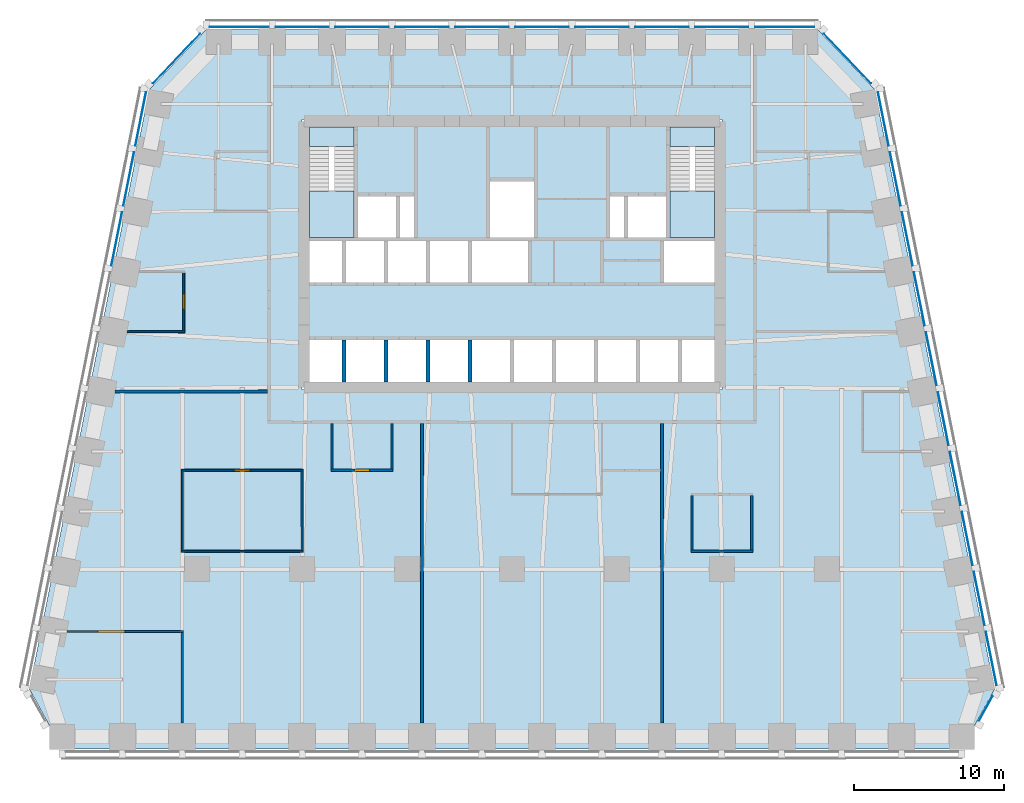
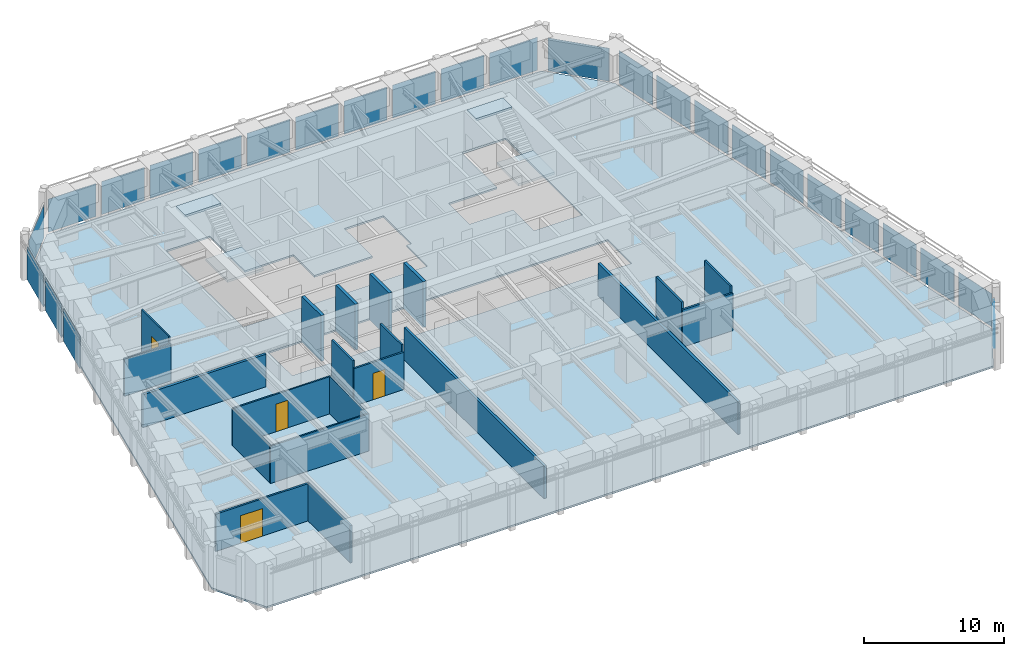
# One storey, part 5 of 10: 26 plates, 21 walls, 5 slabs, 4 doors, 4 openings, 8 elements without a shape of their own.
"""IFC4 building model written with IfcOpenShell, lengths in metres."""

from ifc_helpers import new_model, si_unit, direction, frame, frame_2d, origin, origin_2d, place, context, subcontext, project, spatial, polyline, rectangle, outline, extrude, material, layer, layer_set, type_object, element, fill, aggregate, save


model = new_model("IFC4")

# Units and contexts
model_context = context("Model", 3, precision=1e-05, world=origin(), true_north=direction((0.0, 1.0)))
body_context = subcontext(model_context, "Body", "Model", "MODEL_VIEW")
ifc_project = project(units=[si_unit("LENGTHUNIT", "METRE"), si_unit("AREAUNIT", "SQUARE_METRE"), si_unit("VOLUMEUNIT", "CUBIC_METRE"), si_unit("PLANEANGLEUNIT", "RADIAN"), si_unit("MASSUNIT", "GRAM", prefix="KILO")], contexts=[model_context])

# Site, building, storey
site_placement = place(None, origin())
site = spatial("IfcSite", under=ifc_project, at=site_placement, CompositionType="ELEMENT")
building_placement = place(site_placement, origin())
building = spatial("IfcBuilding", under=site, at=building_placement, Name="Isbrekke Arena Tower", CompositionType="ELEMENT")
storey_placement = place(building_placement, frame((0.0, 0.0, 151.0)))
storey = spatial("IfcBuildingStorey", under=building, at=storey_placement, Name="L34", CompositionType="ELEMENT", Elevation=151.0)

# Curtain wall, plate
ifc_material_1 = material(Name="Glazed aluminium curtain wall", Category="aluminium")
curtain_wall_type = type_object("IfcCurtainWallType", Name="CWM TOWER CURTAIN WALL MID ZONE", PredefinedType="USERDEFINED", material=ifc_material_1)
curtain_wall_1_placement = place(storey_placement, origin())
curtain_wall_1 = element("IfcCurtainWall", 1, at=curtain_wall_1_placement, inside=storey, type_object=curtain_wall_type, Name="CWM curtain wall L34-SE", ObjectType="TOWER CURTAIN WALL MID ZONE", PredefinedType="USERDEFINED")
ifc_material_2 = material(Name="Triple-glazed clear glass unit", Category="glass")
ifc_layer_1 = layer(ifc_material_2, 0.031982421875)
ifc_layer_set_1 = layer_set([ifc_layer_1], Name="CWM-P VISION PANEL")
plate_type = type_object("IfcPlateType", Name="CWM-P VISION PANEL", PredefinedType="CURTAIN_PANEL", material=ifc_layer_set_1)
plate_1_placement = place(storey_placement, frame((31.604248046875, -15.29052734375, 0.02001953125), z_axis=(0.0, 0.0, 1.0), x_axis=(0.481918749773, 0.876215908676, 0.0)))
plate_1 = element("IfcPlate", 2, at=plate_1_placement, type_object=plate_type, Name="CWM-P panel 1", PredefinedType="CURTAIN_PANEL", context=body_context, shape_type="SweptSolid", body=[
    extrude(rectangle(XDim=1.876220703125, YDim=0.031982421875, at=origin_2d()), origin(), (0.0, 0.0, 1.0), 2.8798828125),
])
aggregate(curtain_wall_1, [plate_1])

# Curtain wall, plates
curtain_wall_2_placement = place(storey_placement, origin())
curtain_wall_2 = element("IfcCurtainWall", 3, at=curtain_wall_2_placement, inside=storey, type_object=curtain_wall_type, Name="CWM curtain wall L34-E", ObjectType="TOWER CURTAIN WALL MID ZONE", PredefinedType="USERDEFINED")
plate_2_placement = place(storey_placement, frame((31.9716796875, -11.965576171875, 0.02001953125), z_axis=(0.0, 0.0, 1.0), x_axis=(-0.196116135138, 0.980580675691, 0.0)))
plate_2 = element("IfcPlate", 4, at=plate_2_placement, type_object=plate_type, Name="CWM-P panel 1", PredefinedType="CURTAIN_PANEL", context=body_context, shape_type="SweptSolid", body=[
    extrude(rectangle(XDim=3.629150390625, YDim=0.031982421875, at=origin_2d()), origin(), (0.0, 0.0, 1.0), 2.8798828125),
])
plate_3_placement = place(storey_placement, frame((31.171630859375, -7.965576171875, 0.02001953125), z_axis=(0.0, 0.0, 1.0), x_axis=(-0.196116135138, 0.980580675691, 0.0)))
plate_3 = element("IfcPlate", 5, at=plate_3_placement, type_object=plate_type, Name="CWM-P panel 2", PredefinedType="CURTAIN_PANEL", context=body_context, shape_type="SweptSolid", body=[
    extrude(rectangle(XDim=3.629150390625, YDim=0.031982421875, at=origin_2d()), origin(), (0.0, 0.0, 1.0), 2.8798828125),
])
plate_4_placement = place(storey_placement, frame((30.37158203125, -3.965576171875, 0.02001953125), z_axis=(0.0, 0.0, 1.0), x_axis=(-0.196116135138, 0.980580675691, 0.0)))
plate_4 = element("IfcPlate", 6, at=plate_4_placement, type_object=plate_type, Name="CWM-P panel 3", PredefinedType="CURTAIN_PANEL", context=body_context, shape_type="SweptSolid", body=[
    extrude(rectangle(XDim=3.629150390625, YDim=0.031982421875, at=origin_2d()), origin(), (0.0, 0.0, 1.0), 2.8798828125),
])
plate_5_placement = place(storey_placement, frame((29.571533203125, 0.034423828125, 0.02001953125), z_axis=(0.0, 0.0, 1.0), x_axis=(-0.196116135138, 0.980580675691, 0.0)))
plate_5 = element("IfcPlate", 7, at=plate_5_placement, type_object=plate_type, Name="CWM-P panel 4", PredefinedType="CURTAIN_PANEL", context=body_context, shape_type="SweptSolid", body=[
    extrude(rectangle(XDim=3.629150390625, YDim=0.031982421875, at=origin_2d()), origin(), (0.0, 0.0, 1.0), 2.8798828125),
])
plate_6_placement = place(storey_placement, frame((28.771484375, 4.034423828125, 0.02001953125), z_axis=(0.0, 0.0, 1.0), x_axis=(-0.196116135138, 0.980580675691, 0.0)))
plate_6 = element("IfcPlate", 8, at=plate_6_placement, type_object=plate_type, Name="CWM-P panel 5", PredefinedType="CURTAIN_PANEL", context=body_context, shape_type="SweptSolid", body=[
    extrude(rectangle(XDim=3.629150390625, YDim=0.031982421875, at=origin_2d()), origin(), (0.0, 0.0, 1.0), 2.8798828125),
])
plate_7_placement = place(storey_placement, frame((27.9716796875, 8.034423828125, 0.02001953125), z_axis=(0.0, 0.0, 1.0), x_axis=(-0.196116135138, 0.980580675691, 0.0)))
plate_7 = element("IfcPlate", 9, at=plate_7_placement, type_object=plate_type, Name="CWM-P panel 6", PredefinedType="CURTAIN_PANEL", context=body_context, shape_type="SweptSolid", body=[
    extrude(rectangle(XDim=3.629150390625, YDim=0.031982421875, at=origin_2d()), origin(), (0.0, 0.0, 1.0), 2.8798828125),
])
plate_8_placement = place(storey_placement, frame((27.171630859375, 12.034423828125, 0.02001953125), z_axis=(0.0, 0.0, 1.0), x_axis=(-0.196116135138, 0.980580675691, 0.0)))
plate_8 = element("IfcPlate", 10, at=plate_8_placement, type_object=plate_type, Name="CWM-P panel 7", PredefinedType="CURTAIN_PANEL", context=body_context, shape_type="SweptSolid", body=[
    extrude(rectangle(XDim=3.629150390625, YDim=0.031982421875, at=origin_2d()), origin(), (0.0, 0.0, 1.0), 2.8798828125),
])
plate_9_placement = place(storey_placement, frame((26.37158203125, 16.034423828125, 0.02001953125), z_axis=(0.0, 0.0, 1.0), x_axis=(-0.196116135138, 0.980580675691, 0.0)))
plate_9 = element("IfcPlate", 11, at=plate_9_placement, type_object=plate_type, Name="CWM-P panel 8", PredefinedType="CURTAIN_PANEL", context=body_context, shape_type="SweptSolid", body=[
    extrude(rectangle(XDim=3.629150390625, YDim=0.031982421875, at=origin_2d()), origin(), (0.0, 0.0, 1.0), 2.8798828125),
])
plate_10_placement = place(storey_placement, frame((25.571533203125, 20.034423828125, 0.02001953125), z_axis=(0.0, 0.0, 1.0), x_axis=(-0.196116135138, 0.980580675691, 0.0)))
plate_10 = element("IfcPlate", 12, at=plate_10_placement, type_object=plate_type, Name="CWM-P panel 9", PredefinedType="CURTAIN_PANEL", context=body_context, shape_type="SweptSolid", body=[
    extrude(rectangle(XDim=3.629150390625, YDim=0.031982421875, at=origin_2d()), origin(), (0.0, 0.0, 1.0), 2.8798828125),
])
plate_11_placement = place(storey_placement, frame((24.771484375, 24.034423828125, 0.02001953125), z_axis=(0.0, 0.0, 1.0), x_axis=(-0.196116135138, 0.980580675691, 0.0)))
plate_11 = element("IfcPlate", 13, at=plate_11_placement, type_object=plate_type, Name="CWM-P panel 10", PredefinedType="CURTAIN_PANEL", context=body_context, shape_type="SweptSolid", body=[
    extrude(rectangle(XDim=3.629150390625, YDim=0.031982421875, at=origin_2d()), origin(), (0.0, 0.0, 1.0), 2.8798828125),
])
aggregate(curtain_wall_2, [plate_2, plate_3, plate_4, plate_5, plate_6, plate_7, plate_8, plate_9, plate_10, plate_11])

# Curtain wall, plate
curtain_wall_3_placement = place(storey_placement, origin())
curtain_wall_3 = element("IfcCurtainWall", 14, at=curtain_wall_3_placement, inside=storey, type_object=curtain_wall_type, Name="CWM curtain wall L34-EN", ObjectType="TOWER CURTAIN WALL MID ZONE", PredefinedType="USERDEFINED")
plate_12_placement = place(storey_placement, frame((22.374755859375, 28.06640625, 0.02001953125), z_axis=(0.0, 0.0, 1.0), x_axis=(-0.68874946192, 0.72499943359, 0.0)))
plate_12 = element("IfcPlate", 15, at=plate_12_placement, type_object=plate_type, Name="CWM-P panel 1", PredefinedType="CURTAIN_PANEL", context=body_context, shape_type="SweptSolid", body=[
    extrude(rectangle(XDim=4.558349609375, YDim=0.031982421875, at=origin_2d()), origin(), (0.0, 0.0, 1.0), 2.8798828125),
])
aggregate(curtain_wall_3, [plate_12])

# Curtain wall, plates
curtain_wall_4_placement = place(storey_placement, origin())
curtain_wall_4 = element("IfcCurtainWall", 16, at=curtain_wall_4_placement, inside=storey, type_object=curtain_wall_type, Name="CWM curtain wall L34-N", ObjectType="TOWER CURTAIN WALL MID ZONE", PredefinedType="USERDEFINED")
plate_13_placement = place(storey_placement, frame((18.199951171875, 30.175048828125, 0.02001953125), z_axis=(0.0, 0.0, 1.0), x_axis=(-1.0, 0.0, 0.0)))
plate_13 = element("IfcPlate", 17, at=plate_13_placement, type_object=plate_type, Name="CWM-P panel 1", PredefinedType="CURTAIN_PANEL", context=body_context, shape_type="SweptSolid", body=[
    extrude(rectangle(XDim=3.949951171875, YDim=0.031982421875, at=origin_2d()), origin(), (0.0, 0.0, 1.0), 2.8798828125),
])
plate_14_placement = place(storey_placement, frame((14.0, 30.175048828125, 0.02001953125), z_axis=(0.0, 0.0, 1.0), x_axis=(-1.0, 0.0, 0.0)))
plate_14 = element("IfcPlate", 18, at=plate_14_placement, type_object=plate_type, Name="CWM-P panel 2", PredefinedType="CURTAIN_PANEL", context=body_context, shape_type="SweptSolid", body=[
    extrude(rectangle(XDim=3.550048828125, YDim=0.031982421875, at=origin_2d()), origin(), (0.0, 0.0, 1.0), 2.8798828125),
])
plate_15_placement = place(storey_placement, frame((10.0, 30.175048828125, 0.02001953125), z_axis=(0.0, 0.0, 1.0), x_axis=(-1.0, 0.0, 0.0)))
plate_15 = element("IfcPlate", 19, at=plate_15_placement, type_object=plate_type, Name="CWM-P panel 3", PredefinedType="CURTAIN_PANEL", context=body_context, shape_type="SweptSolid", body=[
    extrude(rectangle(XDim=3.550048828125, YDim=0.031982421875, at=origin_2d()), origin(), (0.0, 0.0, 1.0), 2.8798828125),
])
plate_16_placement = place(storey_placement, frame((6.0, 30.175048828125, 0.02001953125), z_axis=(0.0, 0.0, 1.0), x_axis=(-1.0, 0.0, 0.0)))
plate_16 = element("IfcPlate", 20, at=plate_16_placement, type_object=plate_type, Name="CWM-P panel 4", PredefinedType="CURTAIN_PANEL", context=body_context, shape_type="SweptSolid", body=[
    extrude(rectangle(XDim=3.550048828125, YDim=0.031982421875, at=origin_2d()), origin(), (0.0, 0.0, 1.0), 2.8798828125),
])
plate_17_placement = place(storey_placement, frame((2.0, 30.175048828125, 0.02001953125), z_axis=(0.0, 0.0, 1.0), x_axis=(-1.0, 0.0, 0.0)))
plate_17 = element("IfcPlate", 21, at=plate_17_placement, type_object=plate_type, Name="CWM-P panel 5", PredefinedType="CURTAIN_PANEL", context=body_context, shape_type="SweptSolid", body=[
    extrude(rectangle(XDim=3.550048828125, YDim=0.031982421875, at=origin_2d()), origin(), (0.0, 0.0, 1.0), 2.8798828125),
])
plate_18_placement = place(storey_placement, frame((-2.0, 30.175048828125, 0.02001953125), z_axis=(0.0, 0.0, 1.0), x_axis=(-1.0, 0.0, 0.0)))
plate_18 = element("IfcPlate", 22, at=plate_18_placement, type_object=plate_type, Name="CWM-P panel 6", PredefinedType="CURTAIN_PANEL", context=body_context, shape_type="SweptSolid", body=[
    extrude(rectangle(XDim=3.550048828125, YDim=0.031982421875, at=origin_2d()), origin(), (0.0, 0.0, 1.0), 2.8798828125),
])
plate_19_placement = place(storey_placement, frame((-6.0, 30.175048828125, 0.02001953125), z_axis=(0.0, 0.0, 1.0), x_axis=(-1.0, 0.0, 0.0)))
plate_19 = element("IfcPlate", 23, at=plate_19_placement, type_object=plate_type, Name="CWM-P panel 7", PredefinedType="CURTAIN_PANEL", context=body_context, shape_type="SweptSolid", body=[
    extrude(rectangle(XDim=3.550048828125, YDim=0.031982421875, at=origin_2d()), origin(), (0.0, 0.0, 1.0), 2.8798828125),
])
plate_20_placement = place(storey_placement, frame((-10.0, 30.175048828125, 0.02001953125), z_axis=(0.0, 0.0, 1.0), x_axis=(-1.0, 0.0, 0.0)))
plate_20 = element("IfcPlate", 24, at=plate_20_placement, type_object=plate_type, Name="CWM-P panel 8", PredefinedType="CURTAIN_PANEL", context=body_context, shape_type="SweptSolid", body=[
    extrude(rectangle(XDim=3.550048828125, YDim=0.031982421875, at=origin_2d()), origin(), (0.0, 0.0, 1.0), 2.8798828125),
])
plate_21_placement = place(storey_placement, frame((-14.0, 30.175048828125, 0.02001953125), z_axis=(0.0, 0.0, 1.0), x_axis=(-1.0, 0.0, 0.0)))
plate_21 = element("IfcPlate", 25, at=plate_21_placement, type_object=plate_type, Name="CWM-P panel 9", PredefinedType="CURTAIN_PANEL", context=body_context, shape_type="SweptSolid", body=[
    extrude(rectangle(XDim=3.550048828125, YDim=0.031982421875, at=origin_2d()), origin(), (0.0, 0.0, 1.0), 2.8798828125),
])
plate_22_placement = place(storey_placement, frame((-18.199951171875, 30.175048828125, 0.02001953125), z_axis=(0.0, 0.0, 1.0), x_axis=(-1.0, 0.0, 0.0)))
plate_22 = element("IfcPlate", 26, at=plate_22_placement, type_object=plate_type, Name="CWM-P panel 10", PredefinedType="CURTAIN_PANEL", context=body_context, shape_type="SweptSolid", body=[
    extrude(rectangle(XDim=3.949951171875, YDim=0.031982421875, at=origin_2d()), origin(), (0.0, 0.0, 1.0), 2.8798828125),
])
aggregate(curtain_wall_4, [plate_13, plate_14, plate_15, plate_16, plate_17, plate_18, plate_19, plate_20, plate_21, plate_22])

# Curtain wall, plate
curtain_wall_5_placement = place(storey_placement, origin())
curtain_wall_5 = element("IfcCurtainWall", 27, at=curtain_wall_5_placement, inside=storey, type_object=curtain_wall_type, Name="CWM curtain wall L34-NW", ObjectType="TOWER CURTAIN WALL MID ZONE", PredefinedType="USERDEFINED")
plate_23_placement = place(storey_placement, frame((-22.37451171875, 28.066650390625, 0.02001953125), z_axis=(0.0, 0.0, 1.0), x_axis=(-0.68874946192, -0.72499943359, 0.0)))
plate_23 = element("IfcPlate", 28, at=plate_23_placement, type_object=plate_type, Name="CWM-P panel 1", PredefinedType="CURTAIN_PANEL", context=body_context, shape_type="SweptSolid", body=[
    extrude(rectangle(XDim=4.557373046875, YDim=0.031982421875, at=origin_2d()), origin(), (0.0, 0.0, 1.0), 2.8798828125),
])
aggregate(curtain_wall_5, [plate_23])

# Curtain wall, plates
curtain_wall_6_placement = place(storey_placement, origin())
curtain_wall_6 = element("IfcCurtainWall", 29, at=curtain_wall_6_placement, inside=storey, type_object=curtain_wall_type, Name="CWM curtain wall L34-W", ObjectType="TOWER CURTAIN WALL MID ZONE", PredefinedType="USERDEFINED")
plate_24_placement = place(storey_placement, frame((-24.771484375, 24.034423828125, 0.02001953125), z_axis=(0.0, 0.0, 1.0), x_axis=(-0.196116135138, -0.980580675691, 0.0)))
plate_24 = element("IfcPlate", 30, at=plate_24_placement, type_object=plate_type, Name="CWM-P panel 1", PredefinedType="CURTAIN_PANEL", context=body_context, shape_type="SweptSolid", body=[
    extrude(rectangle(XDim=3.629150390625, YDim=0.031982421875, at=origin_2d()), origin(), (0.0, 0.0, 1.0), 2.8798828125),
])
plate_25_placement = place(storey_placement, frame((-25.571533203125, 20.034423828125, 0.02001953125), z_axis=(0.0, 0.0, 1.0), x_axis=(-0.196116135138, -0.980580675691, 0.0)))
plate_25 = element("IfcPlate", 31, at=plate_25_placement, type_object=plate_type, Name="CWM-P panel 2", PredefinedType="CURTAIN_PANEL", context=body_context, shape_type="SweptSolid", body=[
    extrude(rectangle(XDim=3.629150390625, YDim=0.031982421875, at=origin_2d()), origin(), (0.0, 0.0, 1.0), 2.8798828125),
])
plate_26_placement = place(storey_placement, frame((-26.37158203125, 16.034423828125, 0.02001953125), z_axis=(0.0, 0.0, 1.0), x_axis=(-0.196116135138, -0.980580675691, 0.0)))
plate_26 = element("IfcPlate", 32, at=plate_26_placement, type_object=plate_type, Name="CWM-P panel 3", PredefinedType="CURTAIN_PANEL", context=body_context, shape_type="SweptSolid", body=[
    extrude(rectangle(XDim=3.629150390625, YDim=0.031982421875, at=origin_2d()), origin(), (0.0, 0.0, 1.0), 2.8798828125),
])
aggregate(curtain_wall_6, [plate_24, plate_25, plate_26])

# Slab
ifc_material_3 = material(Name="Concrete B35 (C35/45)", Category="concrete")
ifc_layer_2 = layer(ifc_material_3, 0.14990234375)
ifc_layer_set_2 = layer_set([ifc_layer_2], Name="FS1 COMPOSITE FLOOR 150")
slab_type_1 = type_object("IfcSlabType", Name="FS1 COMPOSITE FLOOR 150", PredefinedType="FLOOR", material=ifc_layer_set_2)
slab_1_placement = place(storey_placement, frame((0.0, 0.0, -0.14990234375)))
element("IfcSlab", 33, at=slab_1_placement, inside=storey, type_object=slab_type_1, Name="FS1 floor slab L34", PredefinedType="FLOOR", context=body_context, shape_type="SweptSolid", body=[
    extrude(outline(polyline([(-30.0, -18.0), (30.0, -18.0), (32.199951171875, -14.0), (24.199951171875, 26.0), (20.39990234375, 30.0), (-20.39990234375, 30.0), (-24.199951171875, 26.0), (-32.199951171875, -14.0), (-30.0, -18.0)]), holes=[polyline([(14.0, 9.39990234375), (14.0, 6.0), (-14.0, 6.0), (-14.0, 9.39990234375), (14.0, 9.39990234375)]), polyline([(-6.39990234375, 19.0), (-6.39990234375, 16.0), (-1.60009765625, 16.0), (-1.60009765625, 20.0), (1.60009765625, 20.0), (1.60009765625, 16.0), (1.199951171875, 16.0), (1.199951171875, 13.0), (-14.0, 13.0), (-14.0, 24.0), (-10.39990234375, 24.0), (-10.39990234375, 19.0), (-6.39990234375, 19.0)]), polyline([(10.0, 13.0), (10.0, 16.0), (6.39990234375, 16.0), (6.39990234375, 19.0), (10.39990234375, 19.0), (10.39990234375, 24.0), (14.0, 24.0), (14.0, 13.0), (10.0, 13.0)])]), origin(), (0.0, 0.0, 1.0), 0.14990234375),
])

# Stair, slabs
ifc_material_4 = material(Name="Concrete B45 (C45/55) precast", Category="concrete")
stair_type = type_object("IfcStairType", Name="ST40 STAIR 1300 WIDE, 24 RISERS 167", PredefinedType="HALF_TURN_STAIR", material=ifc_material_4)
stair_1_placement = place(storey_placement, origin())
stair_1 = element("IfcStair", 34, at=stair_1_placement, inside=storey, type_object=stair_type, Name="ST1 stair L34", PredefinedType="HALF_TURN_STAIR")
ifc_material_5 = material(Name="Concrete B35 (C35/45)", Category="concrete")
ifc_layer_3 = layer(ifc_material_5, 0.199951171875)
ifc_layer_set_3 = layer_set([ifc_layer_3], Name="SL1 STAIR LANDING 200")
slab_type_2 = type_object("IfcSlabType", Name="SL1 STAIR LANDING 200", PredefinedType="LANDING", material=ifc_layer_set_3)
slab_2_placement = place(storey_placement, frame((0.0, 0.0, 1.800048828125)))
slab_2 = element("IfcSlab", 35, at=slab_2_placement, type_object=slab_type_2, Name="ST1 landing 1", PredefinedType="LANDING", context=body_context, shape_type="SweptSolid", body=[
    extrude(outline(polyline([(-13.5, 16.125), (-10.52490234375, 16.125), (-10.52490234375, 19.22998046875), (-13.5, 19.22998046875), (-13.5, 16.125)])), origin(), (0.0, 0.0, 1.0), 0.199951171875),
])
slab_3_placement = place(storey_placement, frame((0.0, 0.0, 3.800048828125)))
slab_3 = element("IfcSlab", 36, at=slab_3_placement, type_object=slab_type_2, Name="ST1 landing 2", PredefinedType="LANDING", context=body_context, shape_type="SweptSolid", body=[
    extrude(outline(polyline([(-13.5, 22.199951171875), (-10.52490234375, 22.199951171875), (-10.52490234375, 23.5), (-13.5, 23.5), (-13.5, 22.199951171875)])), origin(), (0.0, 0.0, 1.0), 0.199951171875),
])
aggregate(stair_1, [slab_2, slab_3])

stair_2_placement = place(storey_placement, origin())
stair_2 = element("IfcStair", 37, at=stair_2_placement, inside=storey, type_object=stair_type, Name="ST2 stair L34", PredefinedType="HALF_TURN_STAIR")
slab_4_placement = place(storey_placement, frame((0.0, 0.0, 1.800048828125)))
slab_4 = element("IfcSlab", 38, at=slab_4_placement, type_object=slab_type_2, Name="ST2 landing 1", PredefinedType="LANDING", context=body_context, shape_type="SweptSolid", body=[
    extrude(outline(polyline([(10.52490234375, 16.125), (13.5, 16.125), (13.5, 19.22998046875), (10.52490234375, 19.22998046875), (10.52490234375, 16.125)])), origin(), (0.0, 0.0, 1.0), 0.199951171875),
])
slab_5_placement = place(storey_placement, frame((0.0, 0.0, 3.800048828125)))
slab_5 = element("IfcSlab", 39, at=slab_5_placement, type_object=slab_type_2, Name="ST2 landing 2", PredefinedType="LANDING", context=body_context, shape_type="SweptSolid", body=[
    extrude(outline(polyline([(10.52490234375, 22.199951171875), (13.5, 22.199951171875), (13.5, 23.5), (10.52490234375, 23.5), (10.52490234375, 22.199951171875)])), origin(), (0.0, 0.0, 1.0), 0.199951171875),
])
aggregate(stair_2, [slab_4, slab_5])

# Walls
ifc_material_6 = material(Name="Concrete B45 (C45/55)", Category="concrete")
ifc_layer_4 = layer(ifc_material_6, 0.25)
ifc_layer_set_4 = layer_set([ifc_layer_4], Name="CW6 SHAFT WALL 250")
wall_type_1 = type_object("IfcWallType", Name="CW6 SHAFT WALL 250", PredefinedType="SHEAR", material=ifc_layer_set_4)
for number, where, z_axis, x_axis, name in (
    (40, (-11.199951171875, 6.5, 0.0), (0.0, 0.0, 1.0), (0.0, 1.0, 0.0), "Core wall SS01 L34"),
    (41, (-8.39990234375, 6.5, 0.0), (0.0, 0.0, 1.0), (0.0, 1.0, 0.0), "Core wall SS02 L34"),
    (42, (-5.60009765625, 6.5, 0.0), (0.0, 0.0, 1.0), (0.0, 1.0, 0.0), "Core wall SS03 L34"),
    (43, (-2.800048828125, 6.5, 0.0), (0.0, 0.0, 1.0), (0.0, 1.0, 0.0), "Core wall SS04 L34"),
):
    element("IfcWall", number, at=place(storey_placement, frame(where, z_axis=z_axis, x_axis=x_axis)), inside=storey, type_object=wall_type_1, Name=name, PredefinedType="SHEAR", context=body_context, shape_type="SweptSolid", body=[
        extrude(rectangle(XDim=2.77490234375, YDim=0.25, at=frame_2d((1.387451171875, 0.0))), origin(), (0.0, 0.0, 1.0), 4.0),
    ])

# Wall, opening, door
ifc_material_7 = material(Name="Gypsum board partition on steel studs", Category="steel")
ifc_layer_5 = layer(ifc_material_7, 0.14990234375)
ifc_layer_set_5 = layer_set([ifc_layer_5], Name="IW1 PARTITION 150")
wall_type_2 = type_object("IfcWallType", Name="IW1 PARTITION 150", PredefinedType="PARTITIONING", material=ifc_layer_set_5)
wall_1_placement = place(storey_placement, frame((-29.6728515625, -10.159912109375, 0.0), z_axis=(0.0, 0.0, 1.0), x_axis=(1.0, 0.0, 0.0)))
wall_1 = element("IfcWall", 44, at=wall_1_placement, inside=storey, type_object=wall_type_2, Name="IW1 partition 150 L34", PredefinedType="PARTITIONING", context=body_context, shape_type="SweptSolid", body=[
    extrude(rectangle(XDim=7.747802734375, YDim=0.14990234375, at=frame_2d((3.8740234375, 0.0))), origin(), (0.0, 0.0, 1.0), 3.25),
])
opening_1_placement = place(wall_1_placement, frame((2.041015625, 0.0, 0.0)))
opening_1 = element("IfcOpeningElement", 45, at=opening_1_placement, cuts=wall_1, Name="Opening D13", PredefinedType="OPENING", context=body_context, shape_type="SweptSolid", body=[
    extrude(rectangle(XDim=1.800048828125, YDim=2.39990234375, at=frame_2d((0.89990234375, 1.199951171875))), frame((0.0, 0.08984375, 0.0), z_axis=(0.0, -1.0, 0.0), x_axis=(1.0, 0.0, 0.0)), (0.0, 0.0, 1.0), 0.1796875),
])
ifc_material_8 = material(Name="Timber door pair", Category="wood")
door_type_1 = type_object("IfcDoorType", Name="D13 DOUBLE ROOM DOOR 1800 x 2400", OperationType="DOUBLE_DOOR_SINGLE_SWING", PredefinedType="DOOR", material=ifc_material_8)
door_1_placement = place(opening_1_placement, origin())
door_1 = element("IfcDoor", 46, at=door_1_placement, inside=storey, type_object=door_type_1, Name="D13 office door L34", OperationType="DOUBLE_DOOR_SINGLE_SWING", OverallHeight=2.39990234375, OverallWidth=1.800048828125, PredefinedType="DOOR", context=body_context, shape_type="SweptSolid", body=[
    extrude(rectangle(XDim=1.800048828125, YDim=2.39990234375, at=frame_2d((0.89990234375, 1.199951171875))), frame((0.0, 0.07470703125, 0.0), z_axis=(0.0, -1.0, 0.0), x_axis=(1.0, 0.0, 0.0)), (0.0, 0.0, 1.0), 0.1494140625),
])
fill(opening_1, door_1)

# Wall
wall_2_placement = place(storey_placement, frame((11.925048828125, -4.800048828125, 0.0), z_axis=(0.0, 0.0, 1.0), x_axis=(1.0, 0.0, 0.0)))
element("IfcWall", 47, at=wall_2_placement, inside=storey, type_object=wall_type_2, Name="IW1 partition 150 L34", PredefinedType="PARTITIONING", context=body_context, shape_type="SweptSolid", body=[
    extrude(rectangle(XDim=4.14990234375, YDim=0.14990234375, at=frame_2d((2.074951171875, 0.0))), origin(), (0.0, 0.0, 1.0), 3.25),
])

# Wall, opening, door
wall_3_placement = place(storey_placement, frame((-12.074951171875, 0.60009765625, 0.0), z_axis=(0.0, 0.0, 1.0), x_axis=(1.0, 0.0, 0.0)))
wall_3 = element("IfcWall", 48, at=wall_3_placement, inside=storey, type_object=wall_type_2, Name="IW1 partition 150 L34", PredefinedType="PARTITIONING", context=body_context, shape_type="SweptSolid", body=[
    extrude(rectangle(XDim=4.14990234375, YDim=0.14990234375, at=frame_2d((2.074951171875, 0.0))), origin(), (0.0, 0.0, 1.0), 3.25),
])
opening_2_placement = place(wall_3_placement, frame((1.574951171875, 0.0, 0.0)))
opening_2 = element("IfcOpeningElement", 49, at=opening_2_placement, cuts=wall_3, Name="Opening D10", PredefinedType="OPENING", context=body_context, shape_type="SweptSolid", body=[
    extrude(rectangle(XDim=1.0, YDim=2.300048828125, at=frame_2d((0.5, 1.14990234375))), frame((0.0, 0.08984375, 0.0), z_axis=(0.0, -1.0, 0.0), x_axis=(1.0, 0.0, 0.0)), (0.0, 0.0, 1.0), 0.1796875),
])
ifc_material_9 = material(Name="Timber door", Category="wood")
door_type_2 = type_object("IfcDoorType", Name="D10 OFFICE DOOR 1000 x 2300", OperationType="SINGLE_SWING_LEFT", PredefinedType="DOOR", material=ifc_material_9)
door_2_placement = place(opening_2_placement, origin())
door_2 = element("IfcDoor", 50, at=door_2_placement, inside=storey, type_object=door_type_2, Name="D10 tea point door L34", OperationType="SINGLE_SWING_LEFT", OverallHeight=2.300048828125, OverallWidth=1.0, PredefinedType="DOOR", context=body_context, shape_type="SweptSolid", body=[
    extrude(rectangle(XDim=1.0, YDim=2.300048828125, at=frame_2d((0.5, 1.14990234375))), frame((0.0, 0.07470703125, 0.0), z_axis=(0.0, -1.0, 0.0), x_axis=(1.0, 0.0, 0.0)), (0.0, 0.0, 1.0), 0.1494140625),
])
fill(opening_2, door_2)

# Walls
wall_4_placement = place(storey_placement, frame((-22.0, -16.27490234375, 0.0), z_axis=(0.0, 0.0, 1.0), x_axis=(0.0, 1.0, 0.0)))
element("IfcWall", 51, at=wall_4_placement, inside=storey, type_object=wall_type_2, Name="IW1 partition 150 L34", PredefinedType="PARTITIONING", context=body_context, shape_type="SweptSolid", body=[
    extrude(rectangle(XDim=6.039794921875, YDim=0.14990234375, at=frame_2d((3.02001953125, 0.0))), origin(), (0.0, 0.0, 1.0), 3.25),
])
for number, where, z_axis, x_axis, name in (
    (52, (-12.0, 0.675048828125, 0.0), (0.0, 0.0, 1.0), (0.0, 1.0, 0.0), "IW1 partition 150 L34"),
    (53, (-8.0, 0.675048828125, 0.0), (0.0, 0.0, 1.0), (0.0, 1.0, 0.0), "IW1 partition 150 L34"),
):
    element("IfcWall", number, at=place(storey_placement, frame(where, z_axis=z_axis, x_axis=x_axis)), inside=storey, type_object=wall_type_2, Name=name, PredefinedType="PARTITIONING", context=body_context, shape_type="SweptSolid", body=[
        extrude(rectangle(XDim=3.02490234375, YDim=0.14990234375, at=frame_2d((1.512451171875, 0.0))), origin(), (0.0, 0.0, 1.0), 3.85009765625),
    ])
for number, where, z_axis, x_axis, name in (
    (54, (12.0, -4.72509765625, 0.0), (0.0, 0.0, 1.0), (0.0, 1.0, 0.0), "IW1 partition 150 L34"),
    (55, (16.0, -4.72509765625, 0.0), (0.0, 0.0, 1.0), (0.0, 1.0, 0.0), "IW1 partition 150 L34"),
):
    element("IfcWall", number, at=place(storey_placement, frame(where, z_axis=z_axis, x_axis=x_axis)), inside=storey, type_object=wall_type_2, Name=name, PredefinedType="PARTITIONING", context=body_context, shape_type="SweptSolid", body=[
        extrude(rectangle(XDim=3.650146484375, YDim=0.14990234375, at=frame_2d((1.8251953125, 0.0))), origin(), (0.0, 0.0, 1.0), 3.85009765625),
    ])
ifc_material_10 = material(Name="Frameless glazed partition, laminated acoustic glass", Category="glass")
ifc_layer_6 = layer(ifc_material_10, 0.1201171875)
ifc_layer_set_6 = layer_set([ifc_layer_6], Name="IW2 GLAZED PARTITION 120")
wall_type_3 = type_object("IfcWallType", Name="IW2 GLAZED PARTITION 120", PredefinedType="PARTITIONING", material=ifc_layer_set_6)
wall_5_placement = place(storey_placement, frame((-22.06005859375, -4.800048828125, 0.0), z_axis=(0.0, 0.0, 1.0), x_axis=(1.0, 0.0, 0.0)))
element("IfcWall", 56, at=wall_5_placement, inside=storey, type_object=wall_type_3, Name="IW2 glazed partition 120 L34", PredefinedType="PARTITIONING", context=body_context, shape_type="SweptSolid", body=[
    extrude(rectangle(XDim=8.1201171875, YDim=0.1201171875, at=frame_2d((4.06005859375, 0.0))), origin(), (0.0, 0.0, 1.0), 3.25),
])

# Wall, opening, door
wall_6_placement = place(storey_placement, frame((-22.06005859375, 0.60009765625, 0.0), z_axis=(0.0, 0.0, 1.0), x_axis=(1.0, 0.0, 0.0)))
wall_6 = element("IfcWall", 57, at=wall_6_placement, inside=storey, type_object=wall_type_3, Name="IW2 glazed partition 120 L34", PredefinedType="PARTITIONING", context=body_context, shape_type="SweptSolid", body=[
    extrude(rectangle(XDim=8.1201171875, YDim=0.1201171875, at=frame_2d((4.06005859375, 0.0))), origin(), (0.0, 0.0, 1.0), 3.25),
])
opening_3_placement = place(wall_6_placement, frame((3.56005859375, 0.0, 0.0)))
opening_3 = element("IfcOpeningElement", 58, at=opening_3_placement, cuts=wall_6, Name="Opening D11", PredefinedType="OPENING", context=body_context, shape_type="SweptSolid", body=[
    extrude(rectangle(XDim=1.0, YDim=2.39990234375, at=frame_2d((0.5, 1.199951171875))), frame((0.0, 0.074951171875, 0.0), z_axis=(0.0, -1.0, 0.0), x_axis=(1.0, 0.0, 0.0)), (0.0, 0.0, 1.0), 0.14990234375),
])
ifc_material_11 = material(Name="Frameless glazed door", Category="glass")
door_type_3 = type_object("IfcDoorType", Name="D11 GLAZED MEETING ROOM DOOR 1000 x 2400", OperationType="SINGLE_SWING_RIGHT", PredefinedType="DOOR", material=ifc_material_11)
door_3_placement = place(opening_3_placement, origin())
door_3 = element("IfcDoor", 59, at=door_3_placement, inside=storey, type_object=door_type_3, Name="D11 meeting room door L34", OperationType="SINGLE_SWING_RIGHT", OverallHeight=2.39990234375, OverallWidth=1.0, PredefinedType="DOOR", context=body_context, shape_type="SweptSolid", body=[
    extrude(rectangle(XDim=1.0, YDim=2.39990234375, at=frame_2d((0.5, 1.199951171875))), frame((0.0, 0.059814453125, 0.0), z_axis=(0.0, -1.0, 0.0), x_axis=(1.0, 0.0, 0.0)), (0.0, 0.0, 1.0), 0.11962890625),
])
fill(opening_3, door_3)

# Walls
wall_7_placement = place(storey_placement, frame((-25.6728515625, 9.840087890625, 0.0), z_axis=(0.0, 0.0, 1.0), x_axis=(1.0, 0.0, 0.0)))
element("IfcWall", 60, at=wall_7_placement, inside=storey, type_object=wall_type_3, Name="IW2 glazed partition 120 L34", PredefinedType="PARTITIONING", context=body_context, shape_type="SweptSolid", body=[
    extrude(rectangle(XDim=3.832763671875, YDim=0.1201171875, at=frame_2d((1.91650390625, 0.0))), origin(), (0.0, 0.0, 1.0), 3.25),
])
wall_8_placement = place(storey_placement, frame((-22.0, -4.739990234375, 0.0), z_axis=(0.0, 0.0, 1.0), x_axis=(0.0, 1.0, 0.0)))
element("IfcWall", 61, at=wall_8_placement, inside=storey, type_object=wall_type_3, Name="IW2 glazed partition 120 L34", PredefinedType="PARTITIONING", context=body_context, shape_type="SweptSolid", body=[
    extrude(rectangle(XDim=5.280029296875, YDim=0.1201171875, at=frame_2d((2.64013671875, 0.0))), origin(), (0.0, 0.0, 1.0), 3.25),
])

# Wall, opening, door
wall_9_placement = place(storey_placement, frame((-21.89990234375, 9.89990234375, 0.0), z_axis=(0.0, 0.0, 1.0), x_axis=(0.0, 1.0, 0.0)))
wall_9 = element("IfcWall", 62, at=wall_9_placement, inside=storey, type_object=wall_type_3, Name="IW2 glazed partition 120 L34", PredefinedType="PARTITIONING", context=body_context, shape_type="SweptSolid", body=[
    extrude(rectangle(XDim=3.880126953125, YDim=0.1201171875, at=frame_2d((1.93994140625, 0.0))), origin(), (0.0, 0.0, 1.0), 3.85009765625),
])
opening_4_placement = place(wall_9_placement, frame((1.43994140625, 0.0, 0.0)))
opening_4 = element("IfcOpeningElement", 63, at=opening_4_placement, cuts=wall_9, Name="Opening D11", PredefinedType="OPENING", context=body_context, shape_type="SweptSolid", body=[
    extrude(rectangle(XDim=1.0, YDim=2.39990234375, at=frame_2d((0.5, 1.199951171875))), frame((0.0, 0.074951171875, 0.0), z_axis=(0.0, -1.0, 0.0), x_axis=(1.0, 0.0, 0.0)), (0.0, 0.0, 1.0), 0.14990234375),
])
door_4_placement = place(opening_4_placement, origin())
door_4 = element("IfcDoor", 64, at=door_4_placement, inside=storey, type_object=door_type_3, Name="D11 meeting room door L34", OperationType="SINGLE_SWING_RIGHT", OverallHeight=2.39990234375, OverallWidth=1.0, PredefinedType="DOOR", context=body_context, shape_type="SweptSolid", body=[
    extrude(rectangle(XDim=1.0, YDim=2.39990234375, at=frame_2d((0.5, 1.199951171875))), frame((0.0, 0.059814453125, 0.0), z_axis=(0.0, -1.0, 0.0), x_axis=(1.0, 0.0, 0.0)), (0.0, 0.0, 1.0), 0.11962890625),
])
fill(opening_4, door_4)

# Walls
wall_10_placement = place(storey_placement, frame((-14.0, -4.739990234375, 0.0), z_axis=(0.0, 0.0, 1.0), x_axis=(0.0, 1.0, 0.0)))
element("IfcWall", 65, at=wall_10_placement, inside=storey, type_object=wall_type_3, Name="IW2 glazed partition 120 L34", PredefinedType="PARTITIONING", context=body_context, shape_type="SweptSolid", body=[
    extrude(rectangle(XDim=5.280029296875, YDim=0.1201171875, at=frame_2d((2.64013671875, 0.0))), origin(), (0.0, 0.0, 1.0), 3.25),
])
ifc_material_12 = material(Name="Gypsum board fire-cell wall on steel studs, two layers each side", Category="steel")
ifc_layer_7 = layer(ifc_material_12, 0.199951171875)
ifc_layer_set_7 = layer_set([ifc_layer_7], Name="IW3 FIRE-CELL WALL 200")
wall_type_4 = type_object("IfcWallType", Name="IW3 FIRE-CELL WALL 200", PredefinedType="PARTITIONING", material=ifc_layer_set_7)
wall_11_placement = place(storey_placement, frame((-26.472900390625, 5.840087890625, 0.0), z_axis=(0.0, 0.0, 1.0), x_axis=(1.0, 0.0, 0.0)))
element("IfcWall", 66, at=wall_11_placement, inside=storey, type_object=wall_type_4, Name="IW3 fire-cell wall 200 L34", PredefinedType="PARTITIONING", context=body_context, shape_type="SweptSolid", body=[
    extrude(rectangle(XDim=10.1728515625, YDim=0.199951171875, at=frame_2d((5.08642578125, 0.0))), origin(), (0.0, 0.0, 1.0), 2.842041015625),
])
for number, where, z_axis, x_axis, name in (
    (67, (-6.0, -16.27490234375, 0.0), (0.0, 0.0, 1.0), (0.0, 1.0, 0.0), "IW3 fire-cell wall 200 L34"),
    (68, (10.0, -16.27490234375, 0.0), (0.0, 0.0, 1.0), (0.0, 1.0, 0.0), "IW3 fire-cell wall 200 L34"),
):
    element("IfcWall", number, at=place(storey_placement, frame(where, z_axis=z_axis, x_axis=x_axis)), inside=storey, type_object=wall_type_4, Name=name, PredefinedType="PARTITIONING", context=body_context, shape_type="SweptSolid", body=[
        extrude(rectangle(XDim=19.974853515625, YDim=0.199951171875, at=frame_2d((9.9873046875, 0.0))), origin(), (0.0, 0.0, 1.0), 2.842041015625),
    ])

save(model, "model.ifc")
